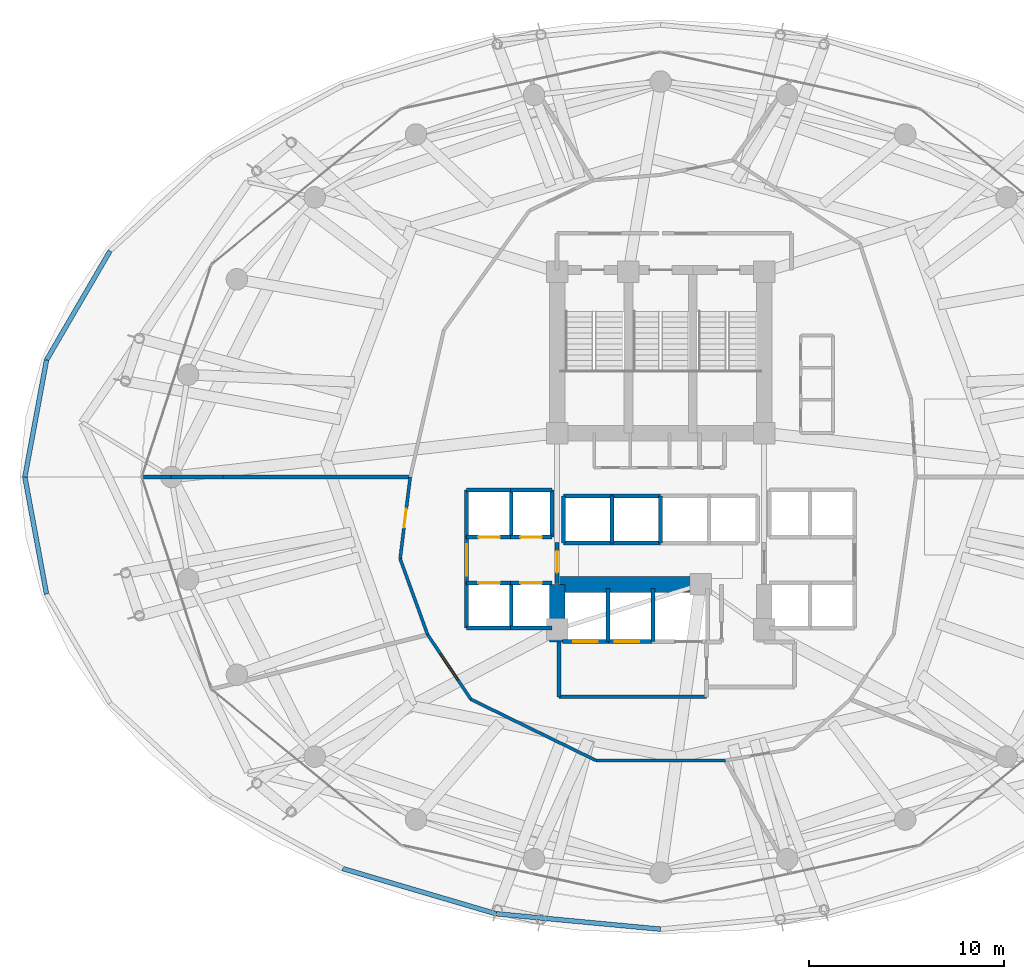
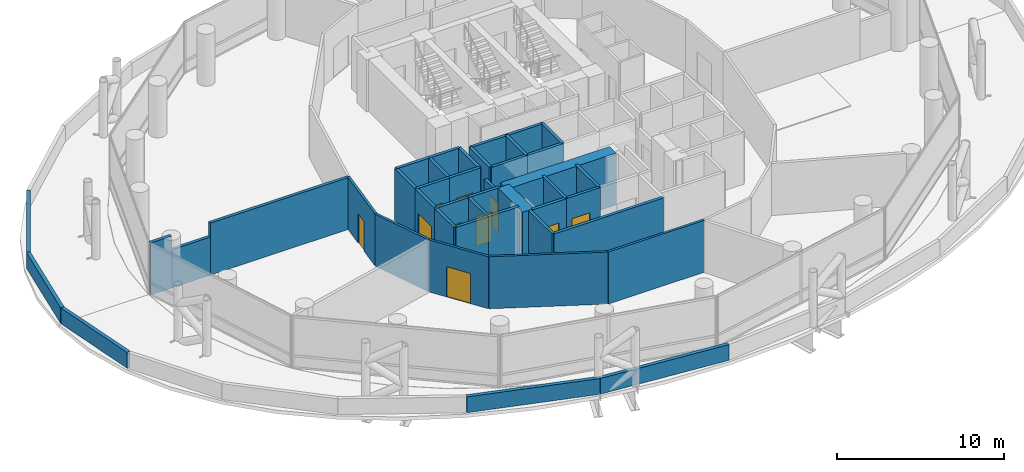
# One storey, part 29 of 37: 43 walls, 10 doors, 10 openings.
"""IFC4 building model written with IfcOpenShell, lengths in metres."""

from ifc_helpers import new_model, si_unit, direction, frame, frame_2d, origin, place, context, subcontext, project, spatial, rectangle, extrude, material, layer, layer_set, type_object, element, fill, save


model = new_model("IFC4")

# Units and contexts
model_context = context("Model", 3, precision=1e-05, world=origin(), true_north=direction((0.0, 1.0)))
body_context = subcontext(model_context, "Body", "Model", "MODEL_VIEW")
ifc_project = project(units=[si_unit("LENGTHUNIT", "METRE"), si_unit("AREAUNIT", "SQUARE_METRE"), si_unit("VOLUMEUNIT", "CUBIC_METRE"), si_unit("PLANEANGLEUNIT", "RADIAN"), si_unit("MASSUNIT", "GRAM", prefix="KILO")], contexts=[model_context])

# Site, building, storey
site_placement = place(None, origin())
site = spatial("IfcSite", under=ifc_project, at=site_placement, CompositionType="ELEMENT")
building_placement = place(site_placement, origin())
building = spatial("IfcBuilding", under=site, at=building_placement, Name="Nuhasar Tower", CompositionType="ELEMENT")
storey_placement = place(building_placement, frame((0.0, 0.0, 21.0)))
storey = spatial("IfcBuildingStorey", under=building, at=storey_placement, Name="L04", CompositionType="ELEMENT", Elevation=21.0)

# Walls
ifc_material_1 = material(Name="Concrete C80/95", Category="concrete")
ifc_layer_1 = layer(ifc_material_1, 0.800048828125)
ifc_layer_set_1 = layer_set([ifc_layer_1], Name="Concrete C80/95")
wall_type_1 = type_object("IfcWallType", Name="WL-CORE-800", PredefinedType="SHEAR", material=ifc_layer_set_1)
wall_1_placement = place(storey_placement, frame((33.699951171875, 18.35009765625, 0.0), z_axis=(0.0, 0.0, 1.0), x_axis=(0.0, 1.0, 0.0)))
element("IfcWall", 1, at=wall_1_placement, inside=storey, type_object=wall_type_1, Name="L04 Core Shear Wall CW-SW CW-800", PredefinedType="SHEAR", context=body_context, shape_type="SweptSolid", body=[
    extrude(rectangle(XDim=2.949951171875, YDim=0.800048828125, at=frame_2d((1.47509765625, 0.0))), origin(), (0.0, 0.0, 1.0), 3.7900390625),
])
wall_2_placement = place(storey_placement, frame((33.699951171875, 21.300048828125, 0.0), z_axis=(0.0, 0.0, 1.0), x_axis=(1.0, 0.0, 0.0)))
element("IfcWall", 2, at=wall_2_placement, inside=storey, type_object=wall_type_1, Name="L04 Core Shear Wall CW-S1 CW-800", PredefinedType="SHEAR", context=body_context, shape_type="SweptSolid", body=[
    extrude(rectangle(XDim=7.550048828125, YDim=0.800048828125, at=frame_2d((3.77490234375, 0.0))), origin(), (0.0, 0.0, 1.0), 3.7900390625),
])

# Wall, opening, door
ifc_material_2 = material(Name="Gypsum Board", Category="gypsum")
ifc_layer_2 = layer(ifc_material_2, 0.159912109375)
ifc_layer_set_2 = layer_set([ifc_layer_2], Name="Gypsum Board")
wall_type_2 = type_object("IfcWallType", Name="WL-CORR-160", PredefinedType="PARTITIONING", material=ifc_layer_set_2)
wall_3_placement = place(storey_placement, frame((25.6630859375, 22.614013671875, 0.0), z_axis=(0.0, 0.0, 1.0), x_axis=(0.122538537921, 0.992463755874, 0.0)))
wall_3 = element("IfcWall", 3, at=wall_3_placement, inside=storey, type_object=wall_type_2, Name="L04 Interior Partition CORR-24", PredefinedType="PARTITIONING", context=body_context, shape_type="SweptSolid", body=[
    extrude(rectangle(XDim=4.2177734375, YDim=0.159912109375, at=frame_2d((2.10888671875, 0.0))), origin(), (0.0, 0.0, 1.0), 3.7900390625),
])
opening_1_placement = place(wall_3_placement, frame((1.634033203125, 0.0, 0.0)))
opening_1 = element("IfcOpeningElement", 4, at=opening_1_placement, cuts=wall_3, Name="Opening DO-01", PredefinedType="OPENING", context=body_context, shape_type="SweptSolid", body=[
    extrude(rectangle(XDim=0.949951171875, YDim=2.14990234375, at=frame_2d((0.47509765625, 1.074951171875))), frame((0.0, 0.08984375, 0.0), z_axis=(0.0, -1.0, 0.0), x_axis=(1.0, 0.0, 0.0)), (0.0, 0.0, 1.0), 0.179931640625),
])
ifc_material_3 = material(Name="Timber Oak", Category="wood")
door_type_1 = type_object("IfcDoorType", Name="DR-OFFICE-FD30-950", OperationType="NOTDEFINED", PredefinedType="DOOR", material=ifc_material_3)
door_1_placement = place(opening_1_placement, origin())
door_1 = element("IfcDoor", 5, at=door_1_placement, inside=storey, type_object=door_type_1, Name="L04 Staff Bistro Pantry Entry Door", OperationType="SINGLE_SWING_LEFT", OverallHeight=2.14990234375, OverallWidth=0.949951171875, PredefinedType="DOOR", context=body_context, shape_type="SweptSolid", body=[
    extrude(rectangle(XDim=0.949951171875, YDim=2.14990234375, at=frame_2d((0.47509765625, 1.074951171875))), frame((0.0, 0.02490234375, 0.0), z_axis=(0.0, -1.0, 0.0), x_axis=(1.0, 0.0, 0.0)), (0.0, 0.0, 1.0), 0.050048828125),
])
fill(opening_1, door_1)

# Wall
wall_4_placement = place(storey_placement, frame((25.6630859375, 22.614013671875, 0.0), z_axis=(0.0, 0.0, 1.0), x_axis=(0.34058972089, -0.940212019719, 0.0)))
element("IfcWall", 6, at=wall_4_placement, inside=storey, type_object=wall_type_2, Name="L04 Interior Partition CORR-26", PredefinedType="PARTITIONING", context=body_context, shape_type="SweptSolid", body=[
    extrude(rectangle(XDim=4.131103515625, YDim=0.159912109375, at=frame_2d((2.0654296875, 0.0))), origin(), (0.0, 0.0, 1.0), 3.7900390625),
])

# Wall, opening, door
wall_5_placement = place(storey_placement, frame((29.285888671875, 15.41796875, 0.0), z_axis=(0.0, 0.0, 1.0), x_axis=(-0.556056751682, 0.831144324958, 0.0)))
wall_5 = element("IfcWall", 7, at=wall_5_placement, inside=storey, type_object=wall_type_2, Name="L04 Interior Partition CORR-28", PredefinedType="PARTITIONING", context=body_context, shape_type="SweptSolid", body=[
    extrude(rectangle(XDim=3.98486328125, YDim=0.159912109375, at=frame_2d((1.992431640625, 0.0))), origin(), (0.0, 0.0, 1.0), 3.7900390625),
])
opening_2_placement = place(wall_5_placement, frame((1.19189453125, 0.0, 0.0)))
opening_2 = element("IfcOpeningElement", 8, at=opening_2_placement, cuts=wall_5, Name="Opening DC-01", PredefinedType="OPENING", context=body_context, shape_type="SweptSolid", body=[
    extrude(rectangle(XDim=1.60009765625, YDim=2.199951171875, at=frame_2d((0.800048828125, 1.10009765625))), frame((0.0, 0.08984375, 0.0), z_axis=(0.0, -1.0, 0.0), x_axis=(1.0, 0.0, 0.0)), (0.0, 0.0, 1.0), 0.179931640625),
])
ifc_material_4 = material(Name="Steel S355", Category="steel")
door_type_2 = type_object("IfcDoorType", Name="DR-CORR-FD60-1600", OperationType="DOUBLE_DOOR_SINGLE_SWING", PredefinedType="DOOR", material=ifc_material_4)
door_2_placement = place(opening_2_placement, origin())
door_2 = element("IfcDoor", 9, at=door_2_placement, inside=storey, type_object=door_type_2, Name="L04 Open-Plan Office South-West Entry Door", OperationType="DOUBLE_DOOR_SINGLE_SWING", OverallHeight=2.199951171875, OverallWidth=1.60009765625, PredefinedType="DOOR", context=body_context, shape_type="SweptSolid", body=[
    extrude(rectangle(XDim=1.60009765625, YDim=2.199951171875, at=frame_2d((0.800048828125, 1.10009765625))), frame((0.0, 0.02490234375, 0.0), z_axis=(0.0, -1.0, 0.0), x_axis=(1.0, 0.0, 0.0)), (0.0, 0.0, 1.0), 0.050048828125),
])
fill(opening_2, door_2)

# Walls
wall_6_placement = place(storey_placement, frame((29.285888671875, 15.41796875, 0.0), z_axis=(0.0, 0.0, 1.0), x_axis=(0.898437278598, -0.439101874768, 0.0)))
element("IfcWall", 10, at=wall_6_placement, inside=storey, type_object=wall_type_2, Name="L04 Interior Partition CORR-30", PredefinedType="PARTITIONING", context=body_context, shape_type="SweptSolid", body=[
    extrude(rectangle(XDim=7.119140625, YDim=0.159912109375, at=frame_2d((3.5595703125, 0.0))), origin(), (0.0, 0.0, 1.0), 3.7900390625),
])
wall_7_placement = place(storey_placement, frame((35.681884765625, 12.2919921875, 0.0), z_axis=(0.0, 0.0, 1.0), x_axis=(1.0, 0.0, 0.0)))
element("IfcWall", 11, at=wall_7_placement, inside=storey, type_object=wall_type_2, Name="L04 Interior Partition CORR-34", PredefinedType="PARTITIONING", context=body_context, shape_type="SweptSolid", body=[
    extrude(rectangle(XDim=6.63623046875, YDim=0.159912109375, at=frame_2d((3.318115234375, 0.0))), origin(), (0.0, 0.0, 1.0), 3.7900390625),
])

# Wall, opening, door
ifc_material_5 = material(Name="Concrete C45/55", Category="concrete")
ifc_layer_3 = layer(ifc_material_5, 0.199951171875)
ifc_layer_set_3 = layer_set([ifc_layer_3], Name="Concrete C45/55")
wall_type_3 = type_object("IfcWallType", Name="WL-LOBBY-200", PredefinedType="SOLIDWALL", material=ifc_layer_set_3)
wall_8_placement = place(storey_placement, frame((29.070068359375, 21.3798828125, 0.0), z_axis=(0.0, 0.0, 1.0), x_axis=(0.0, 1.0, 0.0)))
wall_8 = element("IfcWall", 12, at=wall_8_placement, inside=storey, type_object=wall_type_3, Name="L04 Interior Partition LLBL-W", PredefinedType="SOLIDWALL", context=body_context, shape_type="SweptSolid", body=[
    extrude(rectangle(XDim=2.340087890625, YDim=0.199951171875, at=frame_2d((1.169921875, 0.0))), origin(), (0.0, 0.0, 1.0), 3.7900390625),
])
opening_3_placement = place(wall_8_placement, frame((0.3701171875, 0.0, 0.0)))
opening_3 = element("IfcOpeningElement", 13, at=opening_3_placement, cuts=wall_8, Name="Opening DC-01", PredefinedType="OPENING", context=body_context, shape_type="SweptSolid", body=[
    extrude(rectangle(XDim=1.60009765625, YDim=2.199951171875, at=frame_2d((0.800048828125, 1.10009765625))), frame((0.0, 0.10986328125, 0.0), z_axis=(0.0, -1.0, 0.0), x_axis=(1.0, 0.0, 0.0)), (0.0, 0.0, 1.0), 0.219970703125),
])
door_3_placement = place(opening_3_placement, origin())
door_3 = element("IfcDoor", 14, at=door_3_placement, inside=storey, type_object=door_type_2, Name="L04 Low-Rise Lift Lobby West Entry", OperationType="DOUBLE_DOOR_SINGLE_SWING", OverallHeight=2.199951171875, OverallWidth=1.60009765625, PredefinedType="DOOR", context=body_context, shape_type="SweptSolid", body=[
    extrude(rectangle(XDim=1.60009765625, YDim=2.199951171875, at=frame_2d((0.800048828125, 1.10009765625))), frame((0.0, 0.02490234375, 0.0), z_axis=(0.0, -1.0, 0.0), x_axis=(1.0, 0.0, 0.0)), (0.0, 0.0, 1.0), 0.050048828125),
])
fill(opening_3, door_3)

wall_9_placement = place(storey_placement, frame((33.699951171875, 21.35009765625, 0.0), z_axis=(0.0, 0.0, 1.0), x_axis=(0.0, 1.0, 0.0)))
wall_9 = element("IfcWall", 15, at=wall_9_placement, inside=storey, type_object=wall_type_3, Name="L04 Interior Partition LLBH-W", PredefinedType="SOLIDWALL", context=body_context, shape_type="SweptSolid", body=[
    extrude(rectangle(XDim=2.099853515625, YDim=0.199951171875, at=frame_2d((1.0498046875, 0.0))), origin(), (0.0, 0.0, 1.0), 3.010009765625),
])
opening_4_placement = place(wall_9_placement, frame((0.550048828125, 0.0, 0.0)))
opening_4 = element("IfcOpeningElement", 16, at=opening_4_placement, cuts=wall_9, Name="Opening DS-02", PredefinedType="OPENING", context=body_context, shape_type="SweptSolid", body=[
    extrude(rectangle(XDim=1.10009765625, YDim=2.14990234375, at=frame_2d((0.550048828125, 1.074951171875))), frame((0.0, 0.10986328125, 0.0), z_axis=(0.0, -1.0, 0.0), x_axis=(1.0, 0.0, 0.0)), (0.0, 0.0, 1.0), 0.219970703125),
])
door_type_3 = type_object("IfcDoorType", Name="DR-FFL-FD120-1100", OperationType="NOTDEFINED", PredefinedType="DOOR", material=ifc_material_4)
door_4_placement = place(opening_4_placement, origin())
door_4 = element("IfcDoor", 17, at=door_4_placement, inside=storey, type_object=door_type_3, Name="L04 High-Rise Lobby West Door", OperationType="SINGLE_SWING_RIGHT", OverallHeight=2.14990234375, OverallWidth=1.10009765625, PredefinedType="DOOR", context=body_context, shape_type="SweptSolid", body=[
    extrude(rectangle(XDim=1.10009765625, YDim=2.14990234375, at=frame_2d((0.550048828125, 1.074951171875))), frame((0.0, 0.02490234375, 0.0), z_axis=(0.0, -1.0, 0.0), x_axis=(1.0, 0.0, 0.0)), (0.0, 0.0, 1.0), 0.050048828125),
])
fill(opening_4, door_4)

# Walls
wall_10_placement = place(storey_placement, frame((33.800048828125, 15.550048828125, 0.0), z_axis=(0.0, 0.0, 1.0), x_axis=(1.0, 0.0, 0.0)))
element("IfcWall", 18, at=wall_10_placement, inside=storey, type_object=wall_type_3, Name="L04 Interior Partition FFL-S", PredefinedType="SOLIDWALL", context=body_context, shape_type="SweptSolid", body=[
    extrude(rectangle(XDim=7.550048828125, YDim=0.199951171875, at=frame_2d((3.77490234375, 0.0))), origin(), (0.0, 0.0, 1.0), 3.7900390625),
])
wall_11_placement = place(storey_placement, frame((33.800048828125, 15.550048828125, 0.0), z_axis=(0.0, 0.0, 1.0), x_axis=(0.0, 1.0, 0.0)))
element("IfcWall", 19, at=wall_11_placement, inside=storey, type_object=wall_type_3, Name="L04 Interior Partition FFL-W", PredefinedType="SOLIDWALL", context=body_context, shape_type="SweptSolid", body=[
    extrude(rectangle(XDim=2.800048828125, YDim=0.199951171875, at=frame_2d((1.39990234375, 0.0))), origin(), (0.0, 0.0, 1.0), 3.7900390625),
])
ifc_layer_4 = layer(ifc_material_5, 0.239990234375)
ifc_layer_set_4 = layer_set([ifc_layer_4], Name="Concrete C45/55")
wall_type_4 = type_object("IfcWallType", Name="WL-PARAPET-240", PredefinedType="PARAPET", material=ifc_layer_set_4)
wall_12_placement = place(storey_placement, frame((10.81103515625, 38.375, 0.0), z_axis=(0.0, 0.0, 1.0), x_axis=(-0.503316458363, -0.864102159898, 0.0)))
element("IfcWall", 20, at=wall_12_placement, inside=storey, type_object=wall_type_4, Name="L04 Podium Roof Parapet 11", PredefinedType="PARAPET", context=body_context, shape_type="SweptSolid", body=[
    extrude(rectangle(XDim=6.4609375, YDim=0.239990234375, at=frame_2d((3.23046875, 0.0))), origin(), (0.0, 0.0, 1.0), 1.14990234375),
])
for number, where, z_axis, x_axis, name in (
    (21, (7.55908203125, 32.7919921875, 0.0), (0.0, 0.0, 1.0), (-0.18201178794, -0.983296348539, 0.0), "L04 Podium Roof Parapet 12"),
    (22, (6.449951171875, 26.800048828125, 0.0), (0.0, 0.0, 1.0), (0.18201178794, -0.983296348539, 0.0), "L04 Podium Roof Parapet 13"),
):
    element("IfcWall", number, at=place(storey_placement, frame(where, z_axis=z_axis, x_axis=x_axis)), inside=storey, type_object=wall_type_4, Name=name, PredefinedType="PARAPET", context=body_context, shape_type="SweptSolid", body=[
        extrude(rectangle(XDim=6.09375, YDim=0.239990234375, at=frame_2d((3.046875, 0.0))), origin(), (0.0, 0.0, 1.0), 1.14990234375),
    ])
wall_13_placement = place(storey_placement, frame((22.72509765625, 6.751953125, 0.0), z_axis=(0.0, 0.0, 1.0), x_axis=(0.959226195017, -0.282639535085, 0.0)))
element("IfcWall", 23, at=wall_13_placement, inside=storey, type_object=wall_type_4, Name="L04 Podium Roof Parapet 17", PredefinedType="PARAPET", context=body_context, shape_type="SweptSolid", body=[
    extrude(rectangle(XDim=8.18359375, YDim=0.239990234375, at=frame_2d((4.091796875, 0.0))), origin(), (0.0, 0.0, 1.0), 1.14990234375),
])
wall_14_placement = place(storey_placement, frame((30.574951171875, 4.43896484375, 0.0), z_axis=(0.0, 0.0, 1.0), x_axis=(0.995642852172, -0.093248651025, 0.0)))
element("IfcWall", 24, at=wall_14_placement, inside=storey, type_object=wall_type_4, Name="L04 Podium Roof Parapet 18", PredefinedType="PARAPET", context=body_context, shape_type="SweptSolid", body=[
    extrude(rectangle(XDim=8.4619140625, YDim=0.239990234375, at=frame_2d((4.23095703125, 0.0))), origin(), (0.0, 0.0, 1.0), 1.14990234375),
])

# Wall, opening, door
ifc_layer_5 = layer(ifc_material_5, 0.199951171875)
ifc_layer_set_5 = layer_set([ifc_layer_5], Name="Concrete C45/55")
wall_type_5 = type_object("IfcWallType", Name="WL-SHAFT-200", PredefinedType="SOLIDWALL", material=ifc_layer_set_5)
wall_15_placement = place(storey_placement, frame((29.070068359375, 23.719970703125, 0.0), z_axis=(0.0, 0.0, 1.0), x_axis=(1.0, 0.0, 0.0)))
wall_15 = element("IfcWall", 25, at=wall_15_placement, inside=storey, type_object=wall_type_5, Name="L04 Interior Partition SHF-PL-L01-S", PredefinedType="SOLIDWALL", context=body_context, shape_type="SweptSolid", body=[
    extrude(rectangle(XDim=2.309814453125, YDim=0.199951171875, at=frame_2d((1.15478515625, 0.0))), origin(), (0.0, 0.0, 1.0), 3.7900390625),
])
opening_5_placement = place(wall_15_placement, frame((0.60498046875, 0.0, 0.0)))
opening_5 = element("IfcOpeningElement", 26, at=opening_5_placement, cuts=wall_15, Name="Opening LD-L01", PredefinedType="OPENING", context=body_context, shape_type="SweptSolid", body=[
    extrude(rectangle(XDim=1.10009765625, YDim=2.14990234375, at=frame_2d((0.550048828125, 1.074951171875))), frame((0.0, 0.10986328125, 0.0), z_axis=(0.0, -1.0, 0.0), x_axis=(1.0, 0.0, 0.0)), (0.0, 0.0, 1.0), 0.219970703125),
])
ifc_material_6 = material(Name="Stainless Steel 316L", Category="steel")
door_type_4 = type_object("IfcDoorType", Name="LD-PAX-1100", OperationType="DOUBLE_DOOR_SLIDING", PredefinedType="DOOR", material=ifc_material_6)
door_5_placement = place(opening_5_placement, origin())
door_5 = element("IfcDoor", 27, at=door_5_placement, inside=storey, type_object=door_type_4, Name="L04 Lift Landing Door PL-L01", OperationType="DOUBLE_DOOR_SLIDING", OverallHeight=2.14990234375, OverallWidth=1.10009765625, PredefinedType="DOOR", context=body_context, shape_type="SweptSolid", body=[
    extrude(rectangle(XDim=1.10009765625, YDim=2.14990234375, at=frame_2d((0.550048828125, 1.074951171875))), frame((0.0, 0.02490234375, 0.0), z_axis=(0.0, -1.0, 0.0), x_axis=(1.0, 0.0, 0.0)), (0.0, 0.0, 1.0), 0.050048828125),
])
fill(opening_5, door_5)

# Walls
wall_16_placement = place(storey_placement, frame((29.070068359375, 26.1298828125, 0.0), z_axis=(0.0, 0.0, 1.0), x_axis=(1.0, 0.0, 0.0)))
element("IfcWall", 28, at=wall_16_placement, inside=storey, type_object=wall_type_5, Name="L04 Interior Partition SHF-PL-L01-N", PredefinedType="SOLIDWALL", context=body_context, shape_type="SweptSolid", body=[
    extrude(rectangle(XDim=2.309814453125, YDim=0.199951171875, at=frame_2d((1.15478515625, 0.0))), origin(), (0.0, 0.0, 1.0), 3.7900390625),
])
for number, where, z_axis, x_axis, name in (
    (29, (29.070068359375, 23.719970703125, 0.0), (0.0, 0.0, 1.0), (0.0, 1.0, 0.0), "L04 Interior Partition SHF-PL-L01-W"),
    (30, (31.35009765625, 23.719970703125, 0.0), (0.0, 0.0, 1.0), (0.0, 1.0, 0.0), "L04 Interior Partition SHF-PL-L01-E"),
):
    element("IfcWall", number, at=place(storey_placement, frame(where, z_axis=z_axis, x_axis=x_axis)), inside=storey, type_object=wall_type_5, Name=name, PredefinedType="SOLIDWALL", context=body_context, shape_type="SweptSolid", body=[
        extrude(rectangle(XDim=2.409912109375, YDim=0.199951171875, at=frame_2d((1.205078125, 0.0))), origin(), (0.0, 0.0, 1.0), 3.7900390625),
    ])

# Wall, opening, door
wall_17_placement = place(storey_placement, frame((31.320068359375, 23.719970703125, 0.0), z_axis=(0.0, 0.0, 1.0), x_axis=(1.0, 0.0, 0.0)))
wall_17 = element("IfcWall", 31, at=wall_17_placement, inside=storey, type_object=wall_type_5, Name="L04 Interior Partition SHF-PL-L02-S", PredefinedType="SOLIDWALL", context=body_context, shape_type="SweptSolid", body=[
    extrude(rectangle(XDim=2.10986328125, YDim=0.199951171875, at=frame_2d((1.054931640625, 0.0))), origin(), (0.0, 0.0, 1.0), 3.7900390625),
])
opening_6_placement = place(wall_17_placement, frame((0.5048828125, 0.0, 0.0)))
opening_6 = element("IfcOpeningElement", 32, at=opening_6_placement, cuts=wall_17, Name="Opening LD-L02", PredefinedType="OPENING", context=body_context, shape_type="SweptSolid", body=[
    extrude(rectangle(XDim=1.10009765625, YDim=2.14990234375, at=frame_2d((0.550048828125, 1.074951171875))), frame((0.0, 0.10986328125, 0.0), z_axis=(0.0, -1.0, 0.0), x_axis=(1.0, 0.0, 0.0)), (0.0, 0.0, 1.0), 0.219970703125),
])
door_6_placement = place(opening_6_placement, origin())
door_6 = element("IfcDoor", 33, at=door_6_placement, inside=storey, type_object=door_type_4, Name="L04 Lift Landing Door PL-L02", OperationType="DOUBLE_DOOR_SLIDING", OverallHeight=2.14990234375, OverallWidth=1.10009765625, PredefinedType="DOOR", context=body_context, shape_type="SweptSolid", body=[
    extrude(rectangle(XDim=1.10009765625, YDim=2.14990234375, at=frame_2d((0.550048828125, 1.074951171875))), frame((0.0, 0.02490234375, 0.0), z_axis=(0.0, -1.0, 0.0), x_axis=(1.0, 0.0, 0.0)), (0.0, 0.0, 1.0), 0.050048828125),
])
fill(opening_6, door_6)

# Walls
wall_18_placement = place(storey_placement, frame((31.320068359375, 26.1298828125, 0.0), z_axis=(0.0, 0.0, 1.0), x_axis=(1.0, 0.0, 0.0)))
element("IfcWall", 34, at=wall_18_placement, inside=storey, type_object=wall_type_5, Name="L04 Interior Partition SHF-PL-L02-N", PredefinedType="SOLIDWALL", context=body_context, shape_type="SweptSolid", body=[
    extrude(rectangle(XDim=2.10986328125, YDim=0.199951171875, at=frame_2d((1.054931640625, 0.0))), origin(), (0.0, 0.0, 1.0), 3.7900390625),
])
wall_19_placement = place(storey_placement, frame((33.429931640625, 23.719970703125, 0.0), z_axis=(0.0, 0.0, 1.0), x_axis=(0.0, 1.0, 0.0)))
element("IfcWall", 35, at=wall_19_placement, inside=storey, type_object=wall_type_5, Name="L04 Interior Partition SHF-PL-L02-E", PredefinedType="SOLIDWALL", context=body_context, shape_type="SweptSolid", body=[
    extrude(rectangle(XDim=2.409912109375, YDim=0.199951171875, at=frame_2d((1.205078125, 0.0))), origin(), (0.0, 0.0, 1.0), 3.7900390625),
])
wall_20_placement = place(storey_placement, frame((29.070068359375, 19.070068359375, 0.0), z_axis=(0.0, 0.0, 1.0), x_axis=(1.0, 0.0, 0.0)))
element("IfcWall", 36, at=wall_20_placement, inside=storey, type_object=wall_type_5, Name="L04 Interior Partition SHF-PL-L03-S", PredefinedType="SOLIDWALL", context=body_context, shape_type="SweptSolid", body=[
    extrude(rectangle(XDim=2.309814453125, YDim=0.199951171875, at=frame_2d((1.15478515625, 0.0))), origin(), (0.0, 0.0, 1.0), 3.7900390625),
])

# Wall, opening, door
wall_21_placement = place(storey_placement, frame((29.070068359375, 21.3798828125, 0.0), z_axis=(0.0, 0.0, 1.0), x_axis=(1.0, 0.0, 0.0)))
wall_21 = element("IfcWall", 37, at=wall_21_placement, inside=storey, type_object=wall_type_5, Name="L04 Interior Partition SHF-PL-L03-N", PredefinedType="SOLIDWALL", context=body_context, shape_type="SweptSolid", body=[
    extrude(rectangle(XDim=2.309814453125, YDim=0.199951171875, at=frame_2d((1.15478515625, 0.0))), origin(), (0.0, 0.0, 1.0), 3.7900390625),
])
opening_7_placement = place(wall_21_placement, frame((0.60498046875, 0.0, 0.0)))
opening_7 = element("IfcOpeningElement", 38, at=opening_7_placement, cuts=wall_21, Name="Opening LD-L03", PredefinedType="OPENING", context=body_context, shape_type="SweptSolid", body=[
    extrude(rectangle(XDim=1.10009765625, YDim=2.14990234375, at=frame_2d((0.550048828125, 1.074951171875))), frame((0.0, 0.10986328125, 0.0), z_axis=(0.0, -1.0, 0.0), x_axis=(1.0, 0.0, 0.0)), (0.0, 0.0, 1.0), 0.219970703125),
])
door_7_placement = place(opening_7_placement, origin())
door_7 = element("IfcDoor", 39, at=door_7_placement, inside=storey, type_object=door_type_4, Name="L04 Lift Landing Door PL-L03", OperationType="DOUBLE_DOOR_SLIDING", OverallHeight=2.14990234375, OverallWidth=1.10009765625, PredefinedType="DOOR", context=body_context, shape_type="SweptSolid", body=[
    extrude(rectangle(XDim=1.10009765625, YDim=2.14990234375, at=frame_2d((0.550048828125, 1.074951171875))), frame((0.0, 0.02490234375, 0.0), z_axis=(0.0, -1.0, 0.0), x_axis=(1.0, 0.0, 0.0)), (0.0, 0.0, 1.0), 0.050048828125),
])
fill(opening_7, door_7)

# Walls
for number, where, z_axis, x_axis, name in (
    (40, (29.070068359375, 19.070068359375, 0.0), (0.0, 0.0, 1.0), (0.0, 1.0, 0.0), "L04 Interior Partition SHF-PL-L03-W"),
    (41, (31.35009765625, 19.070068359375, 0.0), (0.0, 0.0, 1.0), (0.0, 1.0, 0.0), "L04 Interior Partition SHF-PL-L03-E"),
):
    element("IfcWall", number, at=place(storey_placement, frame(where, z_axis=z_axis, x_axis=x_axis)), inside=storey, type_object=wall_type_5, Name=name, PredefinedType="SOLIDWALL", context=body_context, shape_type="SweptSolid", body=[
        extrude(rectangle(XDim=2.309814453125, YDim=0.199951171875, at=frame_2d((1.15478515625, 0.0))), origin(), (0.0, 0.0, 1.0), 3.7900390625),
    ])
wall_22_placement = place(storey_placement, frame((31.320068359375, 19.070068359375, 0.0), z_axis=(0.0, 0.0, 1.0), x_axis=(1.0, 0.0, 0.0)))
element("IfcWall", 42, at=wall_22_placement, inside=storey, type_object=wall_type_5, Name="L04 Interior Partition SHF-PL-L04-S", PredefinedType="SOLIDWALL", context=body_context, shape_type="SweptSolid", body=[
    extrude(rectangle(XDim=2.10986328125, YDim=0.199951171875, at=frame_2d((1.054931640625, 0.0))), origin(), (0.0, 0.0, 1.0), 3.7900390625),
])

# Wall, opening, door
wall_23_placement = place(storey_placement, frame((31.320068359375, 21.3798828125, 0.0), z_axis=(0.0, 0.0, 1.0), x_axis=(1.0, 0.0, 0.0)))
wall_23 = element("IfcWall", 43, at=wall_23_placement, inside=storey, type_object=wall_type_5, Name="L04 Interior Partition SHF-PL-L04-N", PredefinedType="SOLIDWALL", context=body_context, shape_type="SweptSolid", body=[
    extrude(rectangle(XDim=2.10986328125, YDim=0.199951171875, at=frame_2d((1.054931640625, 0.0))), origin(), (0.0, 0.0, 1.0), 3.7900390625),
])
opening_8_placement = place(wall_23_placement, frame((0.5048828125, 0.0, 0.0)))
opening_8 = element("IfcOpeningElement", 44, at=opening_8_placement, cuts=wall_23, Name="Opening LD-L04", PredefinedType="OPENING", context=body_context, shape_type="SweptSolid", body=[
    extrude(rectangle(XDim=1.10009765625, YDim=2.14990234375, at=frame_2d((0.550048828125, 1.074951171875))), frame((0.0, 0.10986328125, 0.0), z_axis=(0.0, -1.0, 0.0), x_axis=(1.0, 0.0, 0.0)), (0.0, 0.0, 1.0), 0.219970703125),
])
door_8_placement = place(opening_8_placement, origin())
door_8 = element("IfcDoor", 45, at=door_8_placement, inside=storey, type_object=door_type_4, Name="L04 Lift Landing Door PL-L04", OperationType="DOUBLE_DOOR_SLIDING", OverallHeight=2.14990234375, OverallWidth=1.10009765625, PredefinedType="DOOR", context=body_context, shape_type="SweptSolid", body=[
    extrude(rectangle(XDim=1.10009765625, YDim=2.14990234375, at=frame_2d((0.550048828125, 1.074951171875))), frame((0.0, 0.02490234375, 0.0), z_axis=(0.0, -1.0, 0.0), x_axis=(1.0, 0.0, 0.0)), (0.0, 0.0, 1.0), 0.050048828125),
])
fill(opening_8, door_8)

# Walls
for number, where, z_axis, x_axis, name in (
    (46, (34.02001953125, 23.419921875, 0.0), (0.0, 0.0, 1.0), (1.0, 0.0, 0.0), "L04 Interior Partition SHF-PL-H01-S"),
    (47, (34.02001953125, 25.830078125, 0.0), (0.0, 0.0, 1.0), (1.0, 0.0, 0.0), "L04 Interior Partition SHF-PL-H01-N"),
):
    element("IfcWall", number, at=place(storey_placement, frame(where, z_axis=z_axis, x_axis=x_axis)), inside=storey, type_object=wall_type_5, Name=name, PredefinedType="SOLIDWALL", context=body_context, shape_type="SweptSolid", body=[
        extrude(rectangle(XDim=2.5, YDim=0.199951171875, at=frame_2d((1.25, 0.0))), origin(), (0.0, 0.0, 1.0), 3.7900390625),
    ])
for number, where, z_axis, x_axis, name in (
    (48, (34.02001953125, 23.419921875, 0.0), (0.0, 0.0, 1.0), (0.0, 1.0, 0.0), "L04 Interior Partition SHF-PL-H01-W"),
    (49, (36.510009765625, 23.419921875, 0.0), (0.0, 0.0, 1.0), (0.0, 1.0, 0.0), "L04 Interior Partition SHF-PL-H01-E"),
):
    element("IfcWall", number, at=place(storey_placement, frame(where, z_axis=z_axis, x_axis=x_axis)), inside=storey, type_object=wall_type_5, Name=name, PredefinedType="SOLIDWALL", context=body_context, shape_type="SweptSolid", body=[
        extrude(rectangle(XDim=2.41015625, YDim=0.199951171875, at=frame_2d((1.205078125, 0.0))), origin(), (0.0, 0.0, 1.0), 3.7900390625),
    ])
for number, where, z_axis, x_axis, name in (
    (50, (36.5, 23.419921875, 0.0), (0.0, 0.0, 1.0), (1.0, 0.0, 0.0), "L04 Interior Partition SHF-PL-H02-S"),
    (51, (36.5, 25.830078125, 0.0), (0.0, 0.0, 1.0), (1.0, 0.0, 0.0), "L04 Interior Partition SHF-PL-H02-N"),
):
    element("IfcWall", number, at=place(storey_placement, frame(where, z_axis=z_axis, x_axis=x_axis)), inside=storey, type_object=wall_type_5, Name=name, PredefinedType="SOLIDWALL", context=body_context, shape_type="SweptSolid", body=[
        extrude(rectangle(XDim=2.5, YDim=0.199951171875, at=frame_2d((1.25, 0.0))), origin(), (0.0, 0.0, 1.0), 3.7900390625),
    ])
wall_24_placement = place(storey_placement, frame((38.989990234375, 23.419921875, 0.0), z_axis=(0.0, 0.0, 1.0), x_axis=(0.0, 1.0, 0.0)))
element("IfcWall", 52, at=wall_24_placement, inside=storey, type_object=wall_type_5, Name="L04 Interior Partition SHF-PL-H02-E", PredefinedType="SOLIDWALL", context=body_context, shape_type="SweptSolid", body=[
    extrude(rectangle(XDim=2.41015625, YDim=0.199951171875, at=frame_2d((1.205078125, 0.0))), origin(), (0.0, 0.0, 1.0), 3.7900390625),
])

# Wall, opening, door
wall_25_placement = place(storey_placement, frame((33.969970703125, 18.3701171875, 0.0), z_axis=(0.0, 0.0, 1.0), x_axis=(1.0, 0.0, 0.0)))
wall_25 = element("IfcWall", 53, at=wall_25_placement, inside=storey, type_object=wall_type_5, Name="L04 Interior Partition SHF-FFL-01-S", PredefinedType="SOLIDWALL", context=body_context, shape_type="SweptSolid", body=[
    extrude(rectangle(XDim=2.360107421875, YDim=0.199951171875, at=frame_2d((1.18017578125, 0.0))), origin(), (0.0, 0.0, 1.0), 3.7900390625),
])
opening_9_placement = place(wall_25_placement, frame((0.554931640625, 0.0, 0.0)))
opening_9 = element("IfcOpeningElement", 54, at=opening_9_placement, cuts=wall_25, Name="Opening LD-F01", PredefinedType="OPENING", context=body_context, shape_type="SweptSolid", body=[
    extrude(rectangle(XDim=1.25, YDim=2.199951171875, at=frame_2d((0.625, 1.10009765625))), frame((0.0, 0.10986328125, 0.0), z_axis=(0.0, -1.0, 0.0), x_axis=(1.0, 0.0, 0.0)), (0.0, 0.0, 1.0), 0.219970703125),
])
door_type_5 = type_object("IfcDoorType", Name="LD-FFL-1250", OperationType="DOUBLE_DOOR_SLIDING", PredefinedType="DOOR", material=ifc_material_6)
door_9_placement = place(opening_9_placement, origin())
door_9 = element("IfcDoor", 55, at=door_9_placement, inside=storey, type_object=door_type_5, Name="L04 Lift Landing Door FFL-01", OperationType="DOUBLE_DOOR_SLIDING", OverallHeight=2.199951171875, OverallWidth=1.25, PredefinedType="DOOR", context=body_context, shape_type="SweptSolid", body=[
    extrude(rectangle(XDim=1.25, YDim=2.199951171875, at=frame_2d((0.625, 1.10009765625))), frame((0.0, 0.02490234375, 0.0), z_axis=(0.0, -1.0, 0.0), x_axis=(1.0, 0.0, 0.0)), (0.0, 0.0, 1.0), 0.050048828125),
])
fill(opening_9, door_9)

# Wall
wall_26_placement = place(storey_placement, frame((36.300048828125, 18.3701171875, 0.0), z_axis=(0.0, 0.0, 1.0), x_axis=(0.0, 1.0, 0.0)))
element("IfcWall", 56, at=wall_26_placement, inside=storey, type_object=wall_type_5, Name="L04 Interior Partition SHF-FFL-01-E", PredefinedType="SOLIDWALL", context=body_context, shape_type="SweptSolid", body=[
    extrude(rectangle(XDim=2.7099609375, YDim=0.199951171875, at=frame_2d((1.35498046875, 0.0))), origin(), (0.0, 0.0, 1.0), 3.7900390625),
])

# Wall, opening, door
wall_27_placement = place(storey_placement, frame((36.27001953125, 18.3701171875, 0.0), z_axis=(0.0, 0.0, 1.0), x_axis=(1.0, 0.0, 0.0)))
wall_27 = element("IfcWall", 57, at=wall_27_placement, inside=storey, type_object=wall_type_5, Name="L04 Interior Partition SHF-FFL-02-S", PredefinedType="SOLIDWALL", context=body_context, shape_type="SweptSolid", body=[
    extrude(rectangle(XDim=2.35986328125, YDim=0.199951171875, at=frame_2d((1.179931640625, 0.0))), origin(), (0.0, 0.0, 1.0), 3.7900390625),
])
opening_10_placement = place(wall_27_placement, frame((0.3798828125, 0.0, 0.0)))
opening_10 = element("IfcOpeningElement", 58, at=opening_10_placement, cuts=wall_27, Name="Opening LD-F02", PredefinedType="OPENING", context=body_context, shape_type="SweptSolid", body=[
    extrude(rectangle(XDim=1.25, YDim=2.199951171875, at=frame_2d((0.625, 1.10009765625))), frame((0.0, 0.10986328125, 0.0), z_axis=(0.0, -1.0, 0.0), x_axis=(1.0, 0.0, 0.0)), (0.0, 0.0, 1.0), 0.219970703125),
])
door_10_placement = place(opening_10_placement, origin())
door_10 = element("IfcDoor", 59, at=door_10_placement, inside=storey, type_object=door_type_5, Name="L04 Lift Landing Door FFL-02", OperationType="DOUBLE_DOOR_SLIDING", OverallHeight=2.199951171875, OverallWidth=1.25, PredefinedType="DOOR", context=body_context, shape_type="SweptSolid", body=[
    extrude(rectangle(XDim=1.25, YDim=2.199951171875, at=frame_2d((0.625, 1.10009765625))), frame((0.0, 0.02490234375, 0.0), z_axis=(0.0, -1.0, 0.0), x_axis=(1.0, 0.0, 0.0)), (0.0, 0.0, 1.0), 0.050048828125),
])
fill(opening_10, door_10)

# Walls
wall_28_placement = place(storey_placement, frame((38.60009765625, 18.3701171875, 0.0), z_axis=(0.0, 0.0, 1.0), x_axis=(0.0, 1.0, 0.0)))
element("IfcWall", 60, at=wall_28_placement, inside=storey, type_object=wall_type_5, Name="L04 Interior Partition SHF-FFL-02-E", PredefinedType="SOLIDWALL", context=body_context, shape_type="SweptSolid", body=[
    extrude(rectangle(XDim=2.7099609375, YDim=0.199951171875, at=frame_2d((1.35498046875, 0.0))), origin(), (0.0, 0.0, 1.0), 3.7900390625),
])
ifc_material_7 = material(Name="Concrete C40/50 precast", Category="concrete")
ifc_layer_6 = layer(ifc_material_7, 0.199951171875)
ifc_layer_set_6 = layer_set([ifc_layer_6], Name="Concrete C40/50 precast")
wall_type_6 = type_object("IfcWallType", Name="WL-UNIT-200", PredefinedType="PARTITIONING", material=ifc_layer_set_6)
wall_29_placement = place(storey_placement, frame((26.179931640625, 26.800048828125, 0.0), z_axis=(0.0, 0.0, 1.0), x_axis=(-1.0, 0.0, 0.0)))
element("IfcWall", 61, at=wall_29_placement, inside=storey, type_object=wall_type_6, Name="L04 Interior Partition ORAD-24", PredefinedType="PARTITIONING", context=body_context, shape_type="SweptSolid", body=[
    extrude(rectangle(XDim=9.580810546875, YDim=0.199951171875, at=frame_2d((4.79052734375, 0.0))), origin(), (0.0, 0.0, 1.0), 3.7900390625),
])
wall_30_placement = place(storey_placement, frame((16.59912109375, 26.800048828125, 0.0), z_axis=(0.0, 0.0, 1.0), x_axis=(-1.0, 0.0, 0.0)))
element("IfcWall", 62, at=wall_30_placement, inside=storey, type_object=wall_type_6, Name="L04 Interior Partition ORAD-24", PredefinedType="PARTITIONING", context=body_context, shape_type="SweptSolid", body=[
    extrude(rectangle(XDim=2.66015625, YDim=0.199951171875, at=frame_2d((1.330078125, 0.0))), origin(), (0.0, 0.0, 1.0), 2.780029296875),
])
wall_31_placement = place(storey_placement, frame((13.93896484375, 26.800048828125, 0.0), z_axis=(0.0, 0.0, 1.0), x_axis=(-1.0, 0.0, 0.0)))
element("IfcWall", 63, at=wall_31_placement, inside=storey, type_object=wall_type_6, Name="L04 Interior Partition ORAD-24", PredefinedType="PARTITIONING", context=body_context, shape_type="SweptSolid", body=[
    extrude(rectangle(XDim=1.4638671875, YDim=0.199951171875, at=frame_2d((0.73193359375, 0.0))), origin(), (0.0, 0.0, 1.0), 3.7900390625),
])

save(model, "model.ifc")
